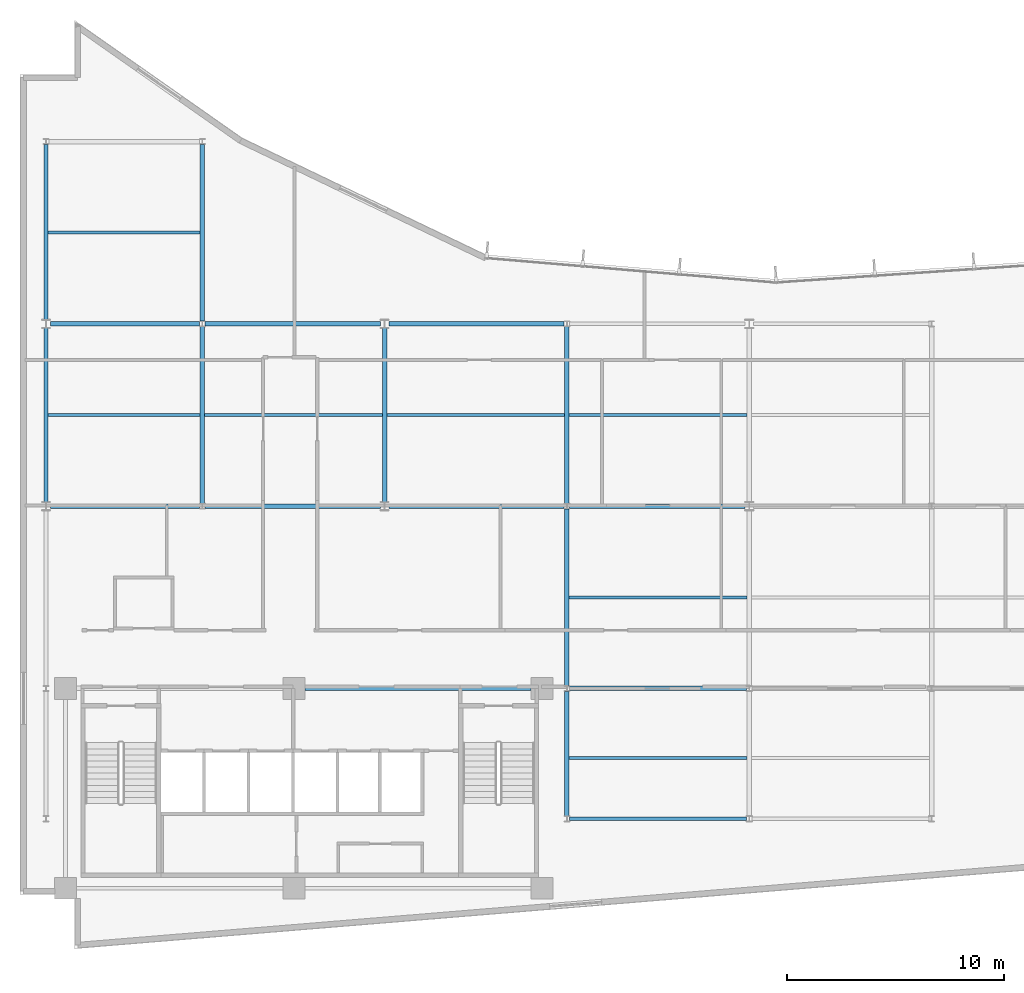
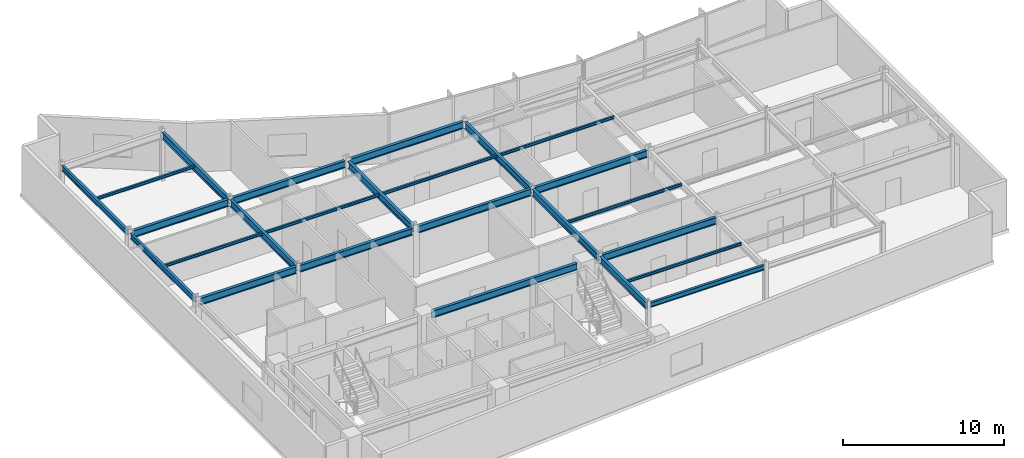
# One storey, part 4 of 14: 25 beams.
"""IFC4 building model written with IfcOpenShell, lengths in metres."""

from ifc_helpers import new_model, si_unit, direction, frame, origin, origin_2d, place, context, subcontext, project, spatial, i_section, extrude, material, material_profile, profile_set, type_object, element, save


model = new_model("IFC4")

# Units and contexts
model_context = context("Model", 3, precision=1e-05, world=origin(), true_north=direction((0.0, 1.0)))
body_context = subcontext(model_context, "Body", "Model", "MODEL_VIEW")
ifc_project = project(units=[si_unit("LENGTHUNIT", "METRE"), si_unit("AREAUNIT", "SQUARE_METRE"), si_unit("VOLUMEUNIT", "CUBIC_METRE"), si_unit("PLANEANGLEUNIT", "RADIAN"), si_unit("MASSUNIT", "GRAM", prefix="KILO")], contexts=[model_context])

# Site, building, storey
site_placement = place(None, origin())
site = spatial("IfcSite", under=ifc_project, at=site_placement, CompositionType="ELEMENT")
building_placement = place(site_placement, origin())
building = spatial("IfcBuilding", under=site, at=building_placement, Name="Varnakote Quay Hospital", CompositionType="ELEMENT")
storey_placement = place(building_placement, frame((0.0, 0.0, 215.800048828125)))
storey = spatial("IfcBuildingStorey", under=building, at=storey_placement, Name="L53", CompositionType="ELEMENT", Elevation=215.800048828125)

# Beams
ifc_material_1 = material(Name="Structural steel AS/NZS 3679.1 Grade 350 L0 (fy 340 MPa)", Category="steel")
ifc_material_profile_1 = material_profile(ifc_material_1, i_section(OverallWidth=0.208984375, OverallDepth=0.528076171875, WebThickness=0.009521484375, FlangeThickness=0.01318359375, FilletRadius=0.013916015625, at=origin_2d()), Name="530UB82.0")
ifc_profile_set_1 = profile_set([ifc_material_profile_1], Name="Structural steel AS/NZS 3679.1 Grade 350 L0 (fy 340 MPa)")
beam_type_1 = type_object("IfcBeamType", Name="BM-STL-530UB82-0", PredefinedType="BEAM", material=ifc_profile_set_1)
beam_1_placement = place(storey_placement, frame((8.39990234375, 20.530029296875, 3.446044921875), z_axis=(0.0, 1.0, 0.0), x_axis=(-1.0, 0.0, 0.0)))
element("IfcBeam", 1, at=beam_1_placement, inside=storey, type_object=beam_type_1, Name="L53 Primary Tie Beam", PredefinedType="BEAM", context=body_context, shape_type="SweptSolid", body=[
    extrude(i_section(OverallWidth=0.208984375, OverallDepth=0.528076171875, WebThickness=0.009521484375, FlangeThickness=0.01318359375, FilletRadius=0.013916015625, at=origin_2d()), origin(), (0.0, 0.0, 1.0), 8.139892578125),
])
beam_2_placement = place(storey_placement, frame((8.39990234375, 28.929931640625, 3.446044921875), z_axis=(0.0, 1.0, 0.0), x_axis=(-1.0, 0.0, 0.0)))
element("IfcBeam", 2, at=beam_2_placement, inside=storey, type_object=beam_type_1, Name="L53 Primary Tie Beam", PredefinedType="BEAM", context=body_context, shape_type="SweptSolid", body=[
    extrude(i_section(OverallWidth=0.208984375, OverallDepth=0.528076171875, WebThickness=0.009521484375, FlangeThickness=0.01318359375, FilletRadius=0.013916015625, at=origin_2d()), origin(), (0.0, 0.0, 1.0), 8.14013671875),
])
beam_3_placement = place(storey_placement, frame((16.800048828125, 20.60205078125, 3.446044921875), z_axis=(0.0, 1.0, 0.0), x_axis=(-1.0, 0.0, 0.0)))
element("IfcBeam", 3, at=beam_3_placement, inside=storey, type_object=beam_type_1, Name="L53 Primary Tie Beam", PredefinedType="BEAM", context=body_context, shape_type="SweptSolid", body=[
    extrude(i_section(OverallWidth=0.208984375, OverallDepth=0.528076171875, WebThickness=0.009521484375, FlangeThickness=0.01318359375, FilletRadius=0.013916015625, at=origin_2d()), origin(), (0.0, 0.0, 1.0), 7.995849609375),
])
beam_4_placement = place(storey_placement, frame((25.199951171875, 6.1298828125, 3.446044921875), z_axis=(0.0, 1.0, 0.0), x_axis=(-1.0, 0.0, 0.0)))
element("IfcBeam", 4, at=beam_4_placement, inside=storey, type_object=beam_type_1, Name="L53 Primary Tie Beam", PredefinedType="BEAM", context=body_context, shape_type="SweptSolid", body=[
    extrude(i_section(OverallWidth=0.208984375, OverallDepth=0.528076171875, WebThickness=0.009521484375, FlangeThickness=0.01318359375, FilletRadius=0.013916015625, at=origin_2d()), origin(), (0.0, 0.0, 1.0), 5.740234375),
])
beam_5_placement = place(storey_placement, frame((25.199951171875, 12.1298828125, 3.446044921875), z_axis=(0.0, 1.0, 0.0), x_axis=(-1.0, 0.0, 0.0)))
element("IfcBeam", 5, at=beam_5_placement, inside=storey, type_object=beam_type_1, Name="L53 Primary Tie Beam", PredefinedType="BEAM", context=body_context, shape_type="SweptSolid", body=[
    extrude(i_section(OverallWidth=0.208984375, OverallDepth=0.528076171875, WebThickness=0.009521484375, FlangeThickness=0.01318359375, FilletRadius=0.013916015625, at=origin_2d()), origin(), (0.0, 0.0, 1.0), 8.14013671875),
])
beam_6_placement = place(storey_placement, frame((25.199951171875, 20.530029296875, 3.446044921875), z_axis=(0.0, 1.0, 0.0), x_axis=(-1.0, 0.0, 0.0)))
element("IfcBeam", 6, at=beam_6_placement, inside=storey, type_object=beam_type_1, Name="L53 Primary Tie Beam", PredefinedType="BEAM", context=body_context, shape_type="SweptSolid", body=[
    extrude(i_section(OverallWidth=0.208984375, OverallDepth=0.528076171875, WebThickness=0.009521484375, FlangeThickness=0.01318359375, FilletRadius=0.013916015625, at=origin_2d()), origin(), (0.0, 0.0, 1.0), 8.139892578125),
])
ifc_material_2 = material(Name="Structural steel AS/NZS 3679.1 Grade 350 L0 (fy 340 MPa)", Category="steel")
ifc_material_profile_2 = material_profile(ifc_material_2, i_section(OverallWidth=0.208984375, OverallDepth=0.532958984375, WebThickness=0.01025390625, FlangeThickness=0.015625, FilletRadius=0.013916015625, at=origin_2d()), Name="530UB92.4")
ifc_profile_set_2 = profile_set([ifc_material_profile_2], Name="Structural steel AS/NZS 3679.1 Grade 350 L0 (fy 340 MPa)")
beam_type_2 = type_object("IfcBeamType", Name="BM-STL-530UB92-4", PredefinedType="BEAM", material=ifc_profile_set_2)
beam_7_placement = place(storey_placement, frame((13.1201171875, 12.0, 3.443359375), z_axis=(1.0, 0.0, 0.0), x_axis=(0.0, 1.0, 0.0)))
element("IfcBeam", 7, at=beam_7_placement, inside=storey, type_object=beam_type_2, Name="L53 Primary Floor Beam", PredefinedType="BEAM", context=body_context, shape_type="SweptSolid", body=[
    extrude(i_section(OverallWidth=0.208984375, OverallDepth=0.532958984375, WebThickness=0.01025390625, FlangeThickness=0.015625, FilletRadius=0.013916015625, at=origin_2d()), origin(), (0.0, 0.0, 1.0), 10.429931640625),
])
beam_8_placement = place(storey_placement, frame((25.327880859375, 12.0, 3.443359375), z_axis=(1.0, 0.0, 0.0), x_axis=(0.0, 1.0, 0.0)))
element("IfcBeam", 8, at=beam_8_placement, inside=storey, type_object=beam_type_2, Name="L53 Primary Floor Beam", PredefinedType="BEAM", context=body_context, shape_type="SweptSolid", body=[
    extrude(i_section(OverallWidth=0.208984375, OverallDepth=0.532958984375, WebThickness=0.01025390625, FlangeThickness=0.015625, FilletRadius=0.013916015625, at=origin_2d()), origin(), (0.0, 0.0, 1.0), 8.14404296875),
])
beam_9_placement = place(storey_placement, frame((1.39990234375, 20.39990234375, 3.443359375), z_axis=(1.0, 0.0, 0.0), x_axis=(0.0, 1.0, 0.0)))
element("IfcBeam", 9, at=beam_9_placement, inside=storey, type_object=beam_type_2, Name="L53 Primary Floor Beam", PredefinedType="BEAM", context=body_context, shape_type="SweptSolid", body=[
    extrude(i_section(OverallWidth=0.208984375, OverallDepth=0.532958984375, WebThickness=0.01025390625, FlangeThickness=0.015625, FilletRadius=0.013916015625, at=origin_2d()), origin(), (0.0, 0.0, 1.0), 6.8720703125),
])
for number, where, z_axis, x_axis, name in (
    (10, (8.528076171875, 20.39990234375, 3.443359375), (1.0, 0.0, 0.0), (0.0, 1.0, 0.0), "L53 Primary Floor Beam"),
    (11, (17.0, 20.39990234375, 3.443359375), (1.0, 0.0, 0.0), (0.0, 1.0, 0.0), "L53 Primary Floor Beam"),
    (12, (25.327880859375, 20.39990234375, 3.443359375), (1.0, 0.0, 0.0), (0.0, 1.0, 0.0), "L53 Primary Floor Beam"),
):
    element("IfcBeam", number, at=place(storey_placement, frame(where, z_axis=z_axis, x_axis=x_axis)), inside=storey, type_object=beam_type_2, Name=name, PredefinedType="BEAM", context=body_context, shape_type="SweptSolid", body=[
        extrude(i_section(OverallWidth=0.208984375, OverallDepth=0.532958984375, WebThickness=0.01025390625, FlangeThickness=0.015625, FilletRadius=0.013916015625, at=origin_2d()), origin(), (0.0, 0.0, 1.0), 8.072021484375),
    ])
beam_10_placement = place(storey_placement, frame((1.39990234375, 28.800048828125, 3.443359375), z_axis=(1.0, 0.0, 0.0), x_axis=(0.0, 1.0, 0.0)))
element("IfcBeam", 13, at=beam_10_placement, inside=storey, type_object=beam_type_2, Name="L53 Primary Floor Beam", PredefinedType="BEAM", context=body_context, shape_type="SweptSolid", body=[
    extrude(i_section(OverallWidth=0.208984375, OverallDepth=0.532958984375, WebThickness=0.01025390625, FlangeThickness=0.015625, FilletRadius=0.013916015625, at=origin_2d()), origin(), (0.0, 0.0, 1.0), 6.8720703125),
])
for number, where, z_axis, x_axis, name in (
    (14, (8.528076171875, 28.800048828125, 3.443359375), (1.0, 0.0, 0.0), (0.0, 1.0, 0.0), "L53 Primary Floor Beam"),
    (15, (17.0, 28.800048828125, 3.443359375), (1.0, 0.0, 0.0), (0.0, 1.0, 0.0), "L53 Primary Floor Beam"),
):
    element("IfcBeam", number, at=place(storey_placement, frame(where, z_axis=z_axis, x_axis=x_axis)), inside=storey, type_object=beam_type_2, Name=name, PredefinedType="BEAM", context=body_context, shape_type="SweptSolid", body=[
        extrude(i_section(OverallWidth=0.208984375, OverallDepth=0.532958984375, WebThickness=0.01025390625, FlangeThickness=0.015625, FilletRadius=0.013916015625, at=origin_2d()), origin(), (0.0, 0.0, 1.0), 8.072021484375),
    ])
ifc_material_3 = material(Name="Structural steel AS/NZS 3679.1 Grade 350 L0 (fy 340 MPa)", Category="steel")
ifc_material_profile_3 = material_profile(ifc_material_3, i_section(OverallWidth=0.134033203125, OverallDepth=0.20703125, WebThickness=0.00634765625, FlangeThickness=0.009521484375, FilletRadius=0.0087890625, at=origin_2d()), Name="200UB29.8")
ifc_profile_set_3 = profile_set([ifc_material_profile_3], Name="Structural steel AS/NZS 3679.1 Grade 350 L0 (fy 340 MPa)")
beam_type_3 = type_object("IfcBeamType", Name="JST-STL-200UB29-8", PredefinedType="JOIST", material=ifc_profile_set_3)
for number, where, z_axis, x_axis, name in (
    (16, (25.304443359375, 8.800048828125, 3.6064453125), (1.0, 0.0, 0.0), (0.0, 1.0, 0.0), "L53 Composite Floor Joist"),
    (17, (25.304443359375, 16.199951171875, 3.6064453125), (1.0, 0.0, 0.0), (0.0, 1.0, 0.0), "L53 Composite Floor Joist"),
):
    element("IfcBeam", number, at=place(storey_placement, frame(where, z_axis=z_axis, x_axis=x_axis)), inside=storey, type_object=beam_type_3, Name=name, PredefinedType="JOIST", context=body_context, shape_type="SweptSolid", body=[
        extrude(i_section(OverallWidth=0.134033203125, OverallDepth=0.20703125, WebThickness=0.00634765625, FlangeThickness=0.009521484375, FilletRadius=0.0087890625, at=origin_2d()), origin(), (0.0, 0.0, 1.0), 8.191162109375),
    ])
beam_11_placement = place(storey_placement, frame((1.2890625, 24.60009765625, 3.6064453125), z_axis=(1.0, 0.0, 0.0), x_axis=(0.0, 1.0, 0.0)))
element("IfcBeam", 18, at=beam_11_placement, inside=storey, type_object=beam_type_3, Name="L53 Composite Floor Joist", PredefinedType="JOIST", context=body_context, shape_type="SweptSolid", body=[
    extrude(i_section(OverallWidth=0.134033203125, OverallDepth=0.20703125, WebThickness=0.00634765625, FlangeThickness=0.009521484375, FilletRadius=0.0087890625, at=origin_2d()), origin(), (0.0, 0.0, 1.0), 7.00634765625),
])
beam_12_placement = place(storey_placement, frame((8.50439453125, 24.60009765625, 3.6064453125), z_axis=(1.0, 0.0, 0.0), x_axis=(0.0, 1.0, 0.0)))
element("IfcBeam", 19, at=beam_12_placement, inside=storey, type_object=beam_type_3, Name="L53 Composite Floor Joist", PredefinedType="JOIST", context=body_context, shape_type="SweptSolid", body=[
    extrude(i_section(OverallWidth=0.134033203125, OverallDepth=0.20703125, WebThickness=0.00634765625, FlangeThickness=0.009521484375, FilletRadius=0.0087890625, at=origin_2d()), origin(), (0.0, 0.0, 1.0), 8.191162109375),
])
beam_13_placement = place(storey_placement, frame((16.904541015625, 24.60009765625, 3.6064453125), z_axis=(1.0, 0.0, 0.0), x_axis=(0.0, 1.0, 0.0)))
element("IfcBeam", 20, at=beam_13_placement, inside=storey, type_object=beam_type_3, Name="L53 Composite Floor Joist", PredefinedType="JOIST", context=body_context, shape_type="SweptSolid", body=[
    extrude(i_section(OverallWidth=0.134033203125, OverallDepth=0.20703125, WebThickness=0.00634765625, FlangeThickness=0.009521484375, FilletRadius=0.0087890625, at=origin_2d()), origin(), (0.0, 0.0, 1.0), 8.19091796875),
])
beam_14_placement = place(storey_placement, frame((25.304443359375, 24.60009765625, 3.6064453125), z_axis=(1.0, 0.0, 0.0), x_axis=(0.0, 1.0, 0.0)))
element("IfcBeam", 21, at=beam_14_placement, inside=storey, type_object=beam_type_3, Name="L53 Composite Floor Joist", PredefinedType="JOIST", context=body_context, shape_type="SweptSolid", body=[
    extrude(i_section(OverallWidth=0.134033203125, OverallDepth=0.20703125, WebThickness=0.00634765625, FlangeThickness=0.009521484375, FilletRadius=0.0087890625, at=origin_2d()), origin(), (0.0, 0.0, 1.0), 8.191162109375),
])
beam_15_placement = place(storey_placement, frame((1.2890625, 33.0, 3.6064453125), z_axis=(1.0, 0.0, 0.0), x_axis=(0.0, 1.0, 0.0)))
element("IfcBeam", 22, at=beam_15_placement, inside=storey, type_object=beam_type_3, Name="L53 Composite Floor Joist", PredefinedType="JOIST", context=body_context, shape_type="SweptSolid", body=[
    extrude(i_section(OverallWidth=0.134033203125, OverallDepth=0.20703125, WebThickness=0.00634765625, FlangeThickness=0.009521484375, FilletRadius=0.0087890625, at=origin_2d()), origin(), (0.0, 0.0, 1.0), 7.00634765625),
])
ifc_material_4 = material(Name="Structural steel AS/NZS 3679.1 Grade 350 L0 (fy 340 MPa)", Category="steel")
ifc_material_profile_4 = material_profile(ifc_material_4, i_section(OverallWidth=0.172119140625, OverallDepth=0.35888671875, WebThickness=0.008056640625, FlangeThickness=0.012939453125, FilletRadius=0.011474609375, at=origin_2d()), Name="360UB56.7")
ifc_profile_set_4 = profile_set([ifc_material_profile_4], Name="Structural steel AS/NZS 3679.1 Grade 350 L0 (fy 340 MPa)")
beam_type_4 = type_object("IfcBeamType", Name="SPN-STL-360UB56-7", PredefinedType="SPANDREL", material=ifc_profile_set_4)
beam_16_placement = place(storey_placement, frame((25.327880859375, 6.0, 3.530517578125), z_axis=(1.0, 0.0, 0.0), x_axis=(0.0, 1.0, 0.0)))
element("IfcBeam", 23, at=beam_16_placement, inside=storey, type_object=beam_type_4, Name="L53 Perimeter Spandrel Beam", PredefinedType="SPANDREL", context=body_context, shape_type="SweptSolid", body=[
    extrude(i_section(OverallWidth=0.172119140625, OverallDepth=0.35888671875, WebThickness=0.008056640625, FlangeThickness=0.012939453125, FilletRadius=0.011474609375, at=origin_2d()), origin(), (0.0, 0.0, 1.0), 8.14404296875),
])
ifc_material_5 = material(Name="Structural steel AS/NZS 3679.1 Grade 350 L0 (fy 340 MPa)", Category="steel")
ifc_material_profile_5 = material_profile(ifc_material_5, i_section(OverallWidth=0.177978515625, OverallDepth=0.403076171875, WebThickness=0.007568359375, FlangeThickness=0.010986328125, FilletRadius=0.011474609375, at=origin_2d()), Name="410UB53.7")
ifc_profile_set_5 = profile_set([ifc_material_profile_5], Name="Structural steel AS/NZS 3679.1 Grade 350 L0 (fy 340 MPa)")
beam_type_5 = type_object("IfcBeamType", Name="SPN-STL-410UB53-7", PredefinedType="SPANDREL", material=ifc_profile_set_5)
beam_17_placement = place(storey_placement, frame((1.199951171875, 20.60205078125, 3.508544921875), z_axis=(0.0, 1.0, 0.0), x_axis=(-1.0, 0.0, 0.0)))
element("IfcBeam", 24, at=beam_17_placement, inside=storey, type_object=beam_type_5, Name="L53 Perimeter Spandrel Beam", PredefinedType="SPANDREL", context=body_context, shape_type="SweptSolid", body=[
    extrude(i_section(OverallWidth=0.177978515625, OverallDepth=0.403076171875, WebThickness=0.007568359375, FlangeThickness=0.010986328125, FilletRadius=0.011474609375, at=origin_2d()), origin(), (0.0, 0.0, 1.0), 7.995849609375),
])
beam_18_placement = place(storey_placement, frame((1.199951171875, 29.001953125, 3.508544921875), z_axis=(0.0, 1.0, 0.0), x_axis=(-1.0, 0.0, 0.0)))
element("IfcBeam", 25, at=beam_18_placement, inside=storey, type_object=beam_type_5, Name="L53 Perimeter Spandrel Beam", PredefinedType="SPANDREL", context=body_context, shape_type="SweptSolid", body=[
    extrude(i_section(OverallWidth=0.177978515625, OverallDepth=0.403076171875, WebThickness=0.007568359375, FlangeThickness=0.010986328125, FilletRadius=0.011474609375, at=origin_2d()), origin(), (0.0, 0.0, 1.0), 8.068115234375),
])

save(model, "model.ifc")
